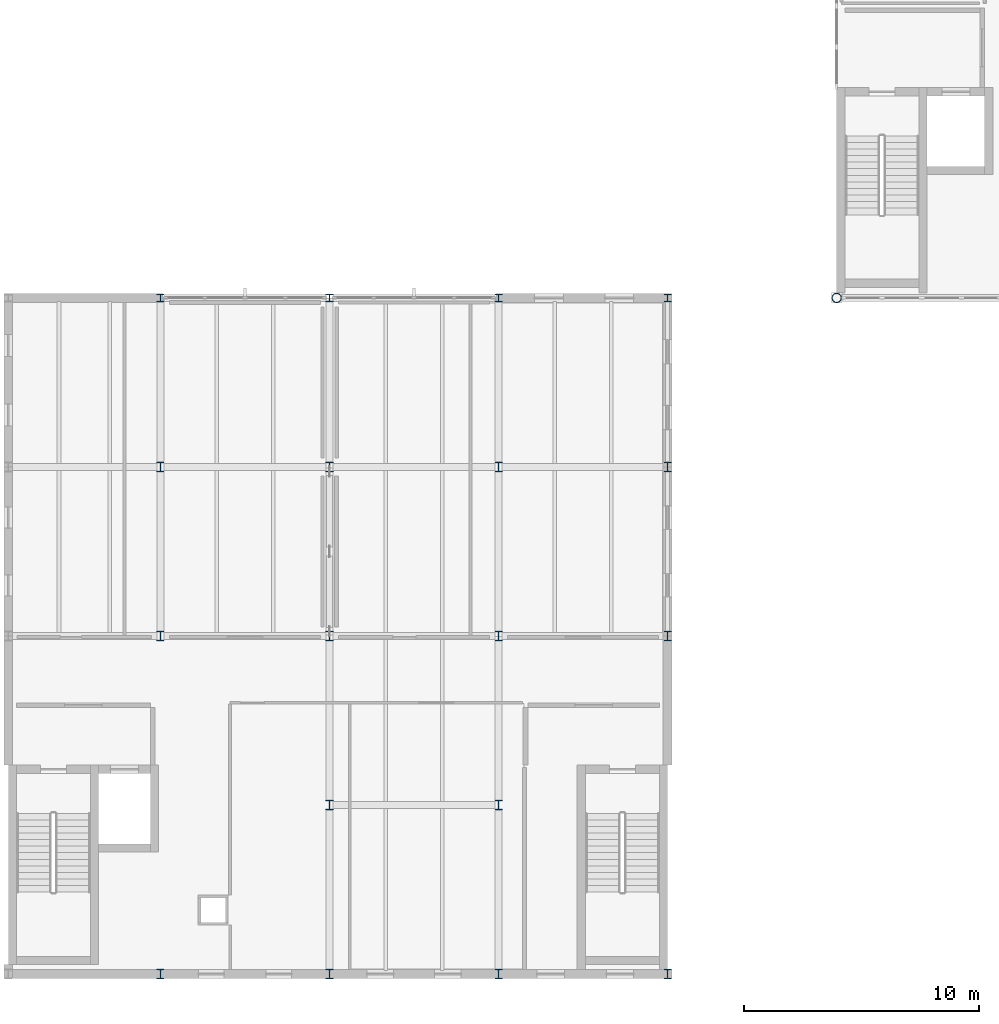
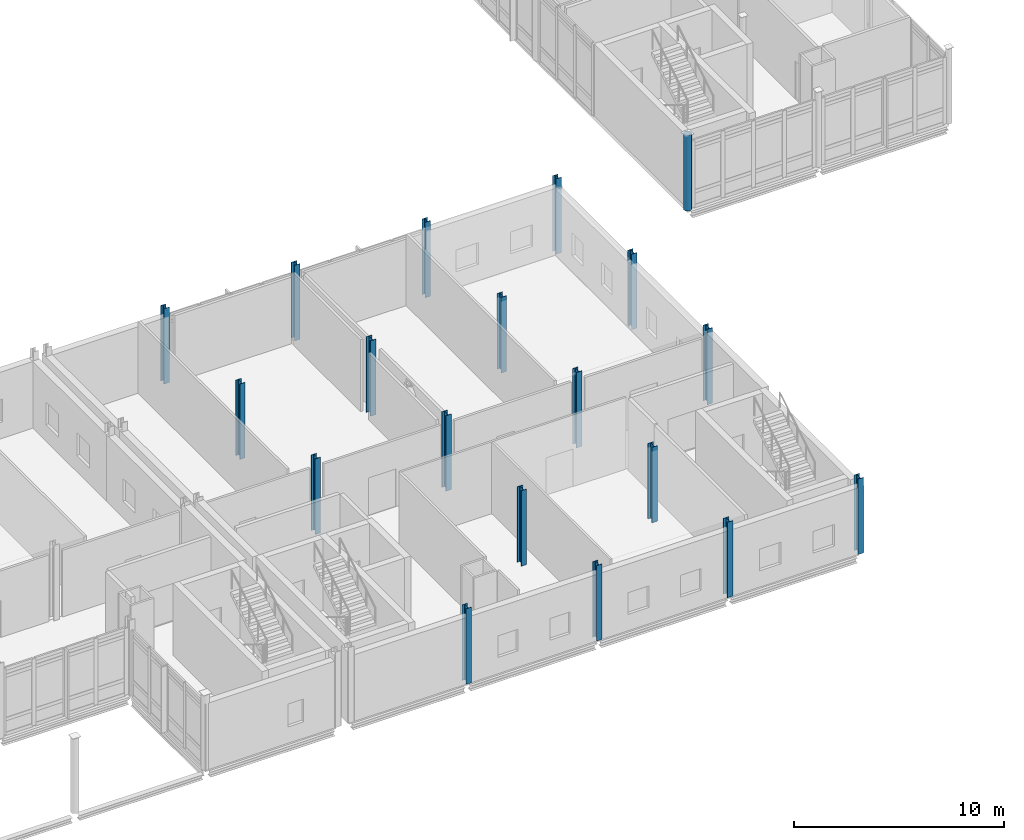
# One storey, part 4 of 76: 19 columns.
"""IFC4 building model written with IfcOpenShell, lengths in metres."""

from ifc_helpers import new_model, si_unit, direction, frame, origin, origin_2d, place, context, subcontext, project, spatial, hollow_circle, i_section, extrude, material, material_profile, profile_set, type_object, element, save


model = new_model("IFC4")

# Units and contexts
model_context = context("Model", 3, precision=1e-05, world=origin(), true_north=direction((0.0, 1.0)))
body_context = subcontext(model_context, "Body", "Model", "MODEL_VIEW")
ifc_project = project(units=[si_unit("LENGTHUNIT", "METRE"), si_unit("AREAUNIT", "SQUARE_METRE"), si_unit("VOLUMEUNIT", "CUBIC_METRE"), si_unit("PLANEANGLEUNIT", "RADIAN"), si_unit("MASSUNIT", "GRAM", prefix="KILO")], contexts=[model_context])

# Site, building, storey
site_placement = place(None, origin())
site = spatial("IfcSite", under=ifc_project, at=site_placement, CompositionType="ELEMENT")
building_placement = place(site_placement, origin())
building = spatial("IfcBuilding", under=site, at=building_placement, Name="Zarrinpeak Specialist Clinic", CompositionType="ELEMENT")
storey_placement = place(building_placement, frame((0.0, 0.0, 5.199951171875)))
storey = spatial("IfcBuildingStorey", under=building, at=storey_placement, Name="L01", CompositionType="ELEMENT", Elevation=5.199951171875)

# Columns
ifc_material = material(Name="Steel S355", Category="steel")
ifc_material_profile_1 = material_profile(ifc_material, hollow_circle(Radius=0.203125, WallThickness=0.01611328125, at=origin_2d()), Name="CHS 406.4x16.0")
ifc_profile_set_1 = profile_set([ifc_material_profile_1], Name="Steel S355")
column_type_1 = type_object("IfcColumnType", Name="COL-CHS406", PredefinedType="COLUMN", material=ifc_profile_set_1)
column_placement = place(storey_placement, frame((93.60009765625, 28.800048828125, 0.0), z_axis=(0.0, 0.0, 1.0), x_axis=(1.0, 0.0, 0.0)))
element("IfcColumn", 1, at=column_placement, inside=storey, type_object=column_type_1, Name="L01 Structural Column COL-L01-138", PredefinedType="COLUMN", context=body_context, shape_type="SweptSolid", body=[
    extrude(hollow_circle(Radius=0.203125, WallThickness=0.01611328125, at=origin_2d()), origin(), (0.0, 0.0, 1.0), 4.400146484375),
])
ifc_material_profile_2 = material_profile(ifc_material, i_section(OverallWidth=0.300048828125, OverallDepth=0.320068359375, WebThickness=0.011474609375, FlangeThickness=0.0205078125, FilletRadius=0.027099609375, at=origin_2d()), Name="HEB 320")
ifc_profile_set_2 = profile_set([ifc_material_profile_2], Name="Steel S355")
column_type_2 = type_object("IfcColumnType", Name="COL-HEB320", PredefinedType="COLUMN", material=ifc_profile_set_2)
for number, where, z_axis, x_axis, name in (
    (2, (64.800048828125, 28.800048828125, 0.0), (0.0, 0.0, 1.0), (1.0, 0.0, 0.0), "L01 Structural Column COL-L01-118"),
    (3, (72.0, 28.800048828125, 0.0), (0.0, 0.0, 1.0), (1.0, 0.0, 0.0), "L01 Structural Column COL-L01-128"),
    (4, (79.199951171875, 28.800048828125, 0.0), (0.0, 0.0, 1.0), (1.0, 0.0, 0.0), "L01 Structural Column COL-L01-133"),
    (5, (86.39990234375, 28.800048828125, 0.0), (0.0, 0.0, 1.0), (1.0, 0.0, 0.0), "L01 Structural Column COL-L01-137"),
):
    element("IfcColumn", number, at=place(storey_placement, frame(where, z_axis=z_axis, x_axis=x_axis)), inside=storey, type_object=column_type_2, Name=name, PredefinedType="COLUMN", context=body_context, shape_type="SweptSolid", body=[
        extrude(i_section(OverallWidth=0.300048828125, OverallDepth=0.320068359375, WebThickness=0.011474609375, FlangeThickness=0.0205078125, FilletRadius=0.027099609375, at=origin_2d()), origin(), (0.0, 0.0, 1.0), 4.400146484375),
    ])
ifc_material_profile_3 = material_profile(ifc_material, i_section(OverallWidth=0.300048828125, OverallDepth=0.39990234375, WebThickness=0.013427734375, FlangeThickness=0.02392578125, FilletRadius=0.027099609375, at=origin_2d()), Name="HEB 400")
ifc_profile_set_3 = profile_set([ifc_material_profile_3], Name="Steel S355")
column_type_3 = type_object("IfcColumnType", Name="COL-HEB400", PredefinedType="COLUMN", material=ifc_profile_set_3)
for number, where, z_axis, x_axis, name in (
    (6, (64.800048828125, 0.0, 0.0), (0.0, 0.0, 1.0), (1.0, 0.0, 0.0), "L01 Structural Column COL-L01-115"),
    (7, (64.800048828125, 14.39990234375, 0.0), (0.0, 0.0, 1.0), (1.0, 0.0, 0.0), "L01 Structural Column COL-L01-116"),
    (8, (64.800048828125, 21.60009765625, 0.0), (0.0, 0.0, 1.0), (1.0, 0.0, 0.0), "L01 Structural Column COL-L01-117"),
    (9, (72.0, 0.0, 0.0), (0.0, 0.0, 1.0), (1.0, 0.0, 0.0), "L01 Structural Column COL-L01-124"),
    (10, (72.0, 7.199951171875, 0.0), (0.0, 0.0, 1.0), (1.0, 0.0, 0.0), "L01 Structural Column COL-L01-125"),
    (11, (72.0, 14.39990234375, 0.0), (0.0, 0.0, 1.0), (1.0, 0.0, 0.0), "L01 Structural Column COL-L01-126"),
    (12, (72.0, 21.60009765625, 0.0), (0.0, 0.0, 1.0), (1.0, 0.0, 0.0), "L01 Structural Column COL-L01-127"),
    (13, (79.199951171875, 0.0, 0.0), (0.0, 0.0, 1.0), (1.0, 0.0, 0.0), "L01 Structural Column COL-L01-129"),
    (14, (79.199951171875, 7.199951171875, 0.0), (0.0, 0.0, 1.0), (1.0, 0.0, 0.0), "L01 Structural Column COL-L01-130"),
    (15, (79.199951171875, 14.39990234375, 0.0), (0.0, 0.0, 1.0), (1.0, 0.0, 0.0), "L01 Structural Column COL-L01-131"),
    (16, (79.199951171875, 21.60009765625, 0.0), (0.0, 0.0, 1.0), (1.0, 0.0, 0.0), "L01 Structural Column COL-L01-132"),
    (17, (86.39990234375, 0.0, 0.0), (0.0, 0.0, 1.0), (1.0, 0.0, 0.0), "L01 Structural Column COL-L01-134"),
    (18, (86.39990234375, 14.39990234375, 0.0), (0.0, 0.0, 1.0), (1.0, 0.0, 0.0), "L01 Structural Column COL-L01-135"),
    (19, (86.39990234375, 21.60009765625, 0.0), (0.0, 0.0, 1.0), (1.0, 0.0, 0.0), "L01 Structural Column COL-L01-136"),
):
    element("IfcColumn", number, at=place(storey_placement, frame(where, z_axis=z_axis, x_axis=x_axis)), inside=storey, type_object=column_type_3, Name=name, PredefinedType="COLUMN", context=body_context, shape_type="SweptSolid", body=[
        extrude(i_section(OverallWidth=0.300048828125, OverallDepth=0.39990234375, WebThickness=0.013427734375, FlangeThickness=0.02392578125, FilletRadius=0.027099609375, at=origin_2d()), origin(), (0.0, 0.0, 1.0), 4.400146484375),
    ])

save(model, "model.ifc")
